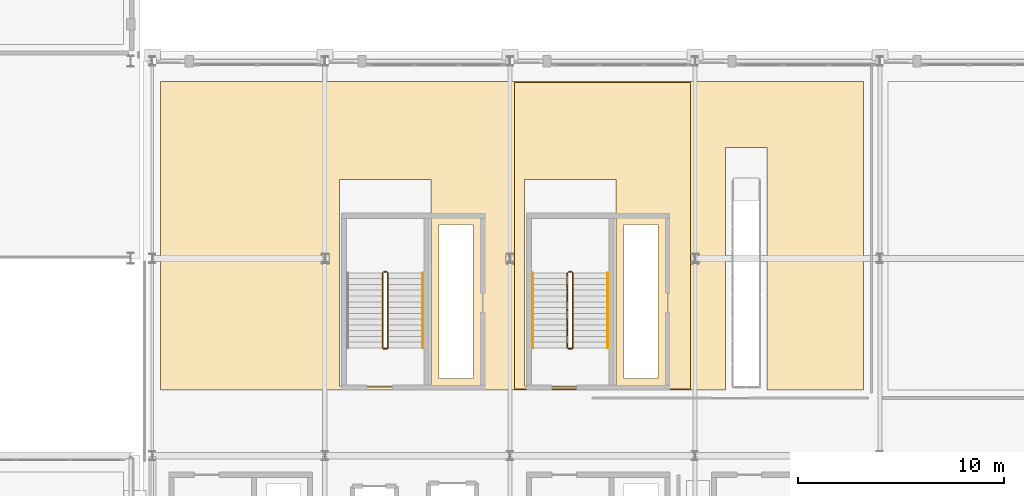
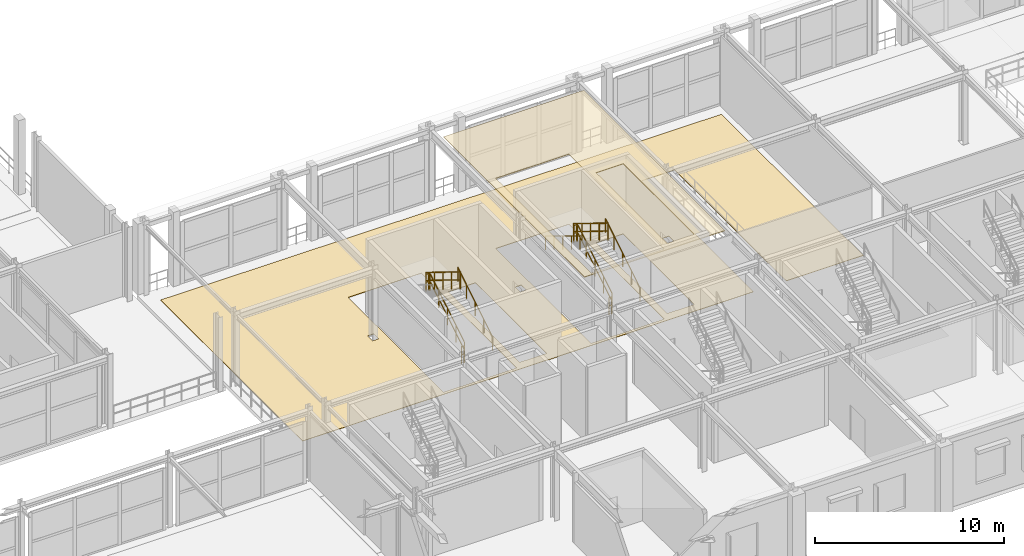
# One storey, part 113 of 125: 11 railings, 2 coverings.
"""IFC4 building model written with IfcOpenShell, lengths in metres."""

from ifc_helpers import new_model, si_unit, direction, frame, origin, origin_2d, place, context, subcontext, project, spatial, polyline, rectangle, outline, extrude, material, layer, layer_set, type_object, element, save


model = new_model("IFC4")

# Units and contexts
model_context = context("Model", 3, precision=1e-05, world=origin(), true_north=direction((0.0, 1.0)))
body_context = subcontext(model_context, "Body", "Model", "MODEL_VIEW")
ifc_project = project(units=[si_unit("LENGTHUNIT", "METRE"), si_unit("AREAUNIT", "SQUARE_METRE"), si_unit("VOLUMEUNIT", "CUBIC_METRE"), si_unit("PLANEANGLEUNIT", "RADIAN"), si_unit("MASSUNIT", "GRAM", prefix="KILO")], contexts=[model_context])

# Site, building, storey
site_placement = place(None, origin())
site = spatial("IfcSite", under=ifc_project, at=site_placement, CompositionType="ELEMENT")
building_placement = place(site_placement, origin())
building = spatial("IfcBuilding", under=site, at=building_placement, Name="Myrtia Square Station", CompositionType="ELEMENT")
storey_placement = place(building_placement, frame((0.0, 0.0, 6.0)))
storey = spatial("IfcBuildingStorey", under=building, at=storey_placement, Name="L01", CompositionType="ELEMENT", Elevation=6.0)

# Coverings
ifc_material_1 = material(Name="Acoustic European oak timber", Category="wood")
ifc_layer_1 = layer(ifc_material_1, 0.044921875, Name="Acoustic European oak timber")
ifc_layer_set_1 = layer_set([ifc_layer_1], Name="Acoustic European oak timber")
covering_type_1 = type_object("IfcCoveringType", Name="COV-CEIL-OAK", PredefinedType="CEILING", material=ifc_layer_set_1)
covering_1_placement = place(storey_placement, frame((0.0, 0.0, 4.5048828125)))
element("IfcCovering", 1, at=covering_1_placement, inside=storey, type_object=covering_type_1, Name="Acoustic coffer ceiling L01-10", PredefinedType="CEILING", context=body_context, shape_type="SweptSolid", body=[
    extrude(outline(polyline([(143.780029296875, 37.35009765625), (143.780029296875, 28.85009765625), (143.781005859375, 28.828369140625), (143.7841796875, 28.80712890625), (143.785888671875, 28.800048828125), (143.7841796875, 28.79296875), (143.781005859375, 28.771484375), (143.780029296875, 28.75), (143.780029296875, 22.449951171875), (135.219970703125, 22.449951171875), (135.219970703125, 28.75), (135.218994140625, 28.771484375), (135.2158203125, 28.79296875), (135.214111328125, 28.800048828125), (135.2158203125, 28.80712890625), (135.218994140625, 28.828369140625), (135.219970703125, 28.85009765625), (135.219970703125, 37.35009765625), (143.780029296875, 37.35009765625)]), holes=[polyline([(140.550048828125, 22.949951171875), (142.199951171875, 22.949951171875), (142.199951171875, 30.449951171875), (140.550048828125, 30.449951171875), (140.550048828125, 22.949951171875)]), polyline([(135.699951171875, 22.580078125), (140.159912109375, 22.580078125), (140.159912109375, 32.64990234375), (135.699951171875, 32.64990234375), (135.699951171875, 22.580078125)])]), origin(), (0.0, 0.0, 1.0), 0.045166015625),
])
ifc_material_2 = material(Name="Terrazzo stone tile", Category="masonry")
ifc_layer_2 = layer(ifc_material_2, 0.02490234375, Name="Terrazzo stone tile")
ifc_layer_set_2 = layer_set([ifc_layer_2], Name="Terrazzo stone tile")
covering_type_2 = type_object("IfcCoveringType", Name="COV-FLR-TERRAZZO", PredefinedType="FLOORING", material=ifc_layer_set_2)
covering_2_placement = place(storey_placement, origin())
element("IfcCovering", 2, at=covering_2_placement, inside=storey, type_object=covering_type_2, Name="Terrazzo room flooring L01-10", PredefinedType="FLOORING", context=body_context, shape_type="SweptSolid", body=[
    extrude(outline(polyline([(118.0, 37.39990234375), (152.199951171875, 37.39990234375), (152.199951171875, 22.39990234375), (147.5, 22.39990234375), (147.5, 34.199951171875), (145.5, 34.199951171875), (145.5, 22.39990234375), (118.0, 22.39990234375), (118.0, 37.39990234375)]), holes=[polyline([(140.550048828125, 30.449951171875), (140.550048828125, 22.949951171875), (142.199951171875, 22.949951171875), (142.199951171875, 30.449951171875), (140.550048828125, 30.449951171875)]), polyline([(133.199951171875, 30.449951171875), (131.550048828125, 30.449951171875), (131.550048828125, 22.949951171875), (133.199951171875, 22.949951171875), (133.199951171875, 30.449951171875)]), polyline([(131.159912109375, 32.64990234375), (126.699951171875, 32.64990234375), (126.699951171875, 22.580078125), (131.159912109375, 22.580078125), (131.159912109375, 32.64990234375)]), polyline([(126.18994140625, 29.06494140625), (125.81005859375, 29.06494140625), (125.81005859375, 28.534912109375), (126.18994140625, 28.534912109375), (126.18994140625, 29.06494140625)]), polyline([(135.699951171875, 32.64990234375), (135.699951171875, 22.580078125), (140.159912109375, 22.580078125), (140.159912109375, 32.64990234375), (135.699951171875, 32.64990234375)]), polyline([(135.18994140625, 29.06494140625), (134.81005859375, 29.06494140625), (134.81005859375, 28.534912109375), (135.18994140625, 28.534912109375), (135.18994140625, 29.06494140625)]), polyline([(144.18994140625, 28.534912109375), (144.18994140625, 29.06494140625), (143.81005859375, 29.06494140625), (143.81005859375, 28.534912109375), (144.18994140625, 28.534912109375)])]), origin(), (0.0, 0.0, 1.0), 0.02490234375),
])

# Railings
ifc_material_3 = material(Name="Dark bronze anodised aluminium", Category="aluminium")
railing_type_1 = type_object("IfcRailingType", Name="RL-HANDRAIL-900", PredefinedType="HANDRAIL", material=ifc_material_3)
railing_1_placement = place(storey_placement, frame((139.760009765625, 24.449951171875, 0.17138671875)))
element("IfcRailing", 3, at=railing_1_placement, inside=storey, type_object=railing_type_1, Name="L01 ST09 stair handrail 1", PredefinedType="HANDRAIL", context=body_context, shape_type="SweptSolid", body=[
    extrude(rectangle(XDim=0.048095703125, YDim=0.048095703125, at=origin_2d()), frame((0.0, 0.029541015625, 0.89404296875), z_axis=(0.0, 0.852865859571, 0.52213008492), x_axis=(-1.0, 0.0, 0.0)), (0.0, 0.0, 1.0), 0.997802734375),
    extrude(rectangle(XDim=0.048095703125, YDim=0.048095703125, at=origin_2d()), frame((0.0, 0.939697265625, 1.451171875), z_axis=(0.0, 0.852865859571, 0.52213008492), x_axis=(-1.0, 0.0, 0.0)), (0.0, 0.0, 1.0), 0.997802734375),
    extrude(rectangle(XDim=0.048095703125, YDim=0.048095703125, at=origin_2d()), frame((0.0, 1.849609375, 2.00830078125), z_axis=(0.0, 0.852865859571, 0.52213008492), x_axis=(-1.0, 0.0, 0.0)), (0.0, 0.0, 1.0), 0.997802734375),
    extrude(rectangle(XDim=0.048095703125, YDim=0.048095703125, at=origin_2d()), frame((0.0, 2.759765625, 2.5654296875), z_axis=(0.0, 0.852865859571, 0.52213008492), x_axis=(-1.0, 0.0, 0.0)), (0.0, 0.0, 1.0), 0.997802734375),
    extrude(rectangle(XDim=0.0439453125, YDim=0.0439453125, at=origin_2d()), origin(), (0.0, 0.0, 1.0), 0.89990234375),
    extrude(rectangle(XDim=0.0439453125, YDim=0.0439453125, at=origin_2d()), frame((0.0, 0.91015625, 0.55712890625)), (0.0, 0.0, 1.0), 0.89990234375),
    extrude(rectangle(XDim=0.0439453125, YDim=0.0439453125, at=origin_2d()), frame((0.0, 1.820068359375, 1.1142578125)), (0.0, 0.0, 1.0), 0.89990234375),
    extrude(rectangle(XDim=0.0439453125, YDim=0.0439453125, at=origin_2d()), frame((0.0, 2.72998046875, 1.67138671875)), (0.0, 0.0, 1.0), 0.89990234375),
    extrude(rectangle(XDim=0.0439453125, YDim=0.0439453125, at=origin_2d()), frame((0.0, 3.64013671875, 2.228515625)), (0.0, 0.0, 1.0), 0.89990234375),
])
railing_2_placement = place(storey_placement, frame((136.10009765625, 28.090087890625, 2.571533203125)))
element("IfcRailing", 4, at=railing_2_placement, inside=storey, type_object=railing_type_1, Name="L01 ST09 stair handrail 2", PredefinedType="HANDRAIL", context=body_context, shape_type="SweptSolid", body=[
    extrude(rectangle(XDim=0.048095703125, YDim=0.048095703125, at=origin_2d()), frame((0.0, -0.029541015625, 0.89404296875), z_axis=(0.0, -0.852865859571, 0.52213008492), x_axis=(1.0, 0.0, 0.0)), (0.0, 0.0, 1.0), 0.997802734375),
    extrude(rectangle(XDim=0.048095703125, YDim=0.048095703125, at=origin_2d()), frame((0.0, -0.939697265625, 1.451171875), z_axis=(0.0, -0.852865859571, 0.52213008492), x_axis=(1.0, 0.0, 0.0)), (0.0, 0.0, 1.0), 0.997802734375),
    extrude(rectangle(XDim=0.048095703125, YDim=0.048095703125, at=origin_2d()), frame((0.0, -1.849609375, 2.00830078125), z_axis=(0.0, -0.852865859571, 0.52213008492), x_axis=(1.0, 0.0, 0.0)), (0.0, 0.0, 1.0), 0.997802734375),
    extrude(rectangle(XDim=0.048095703125, YDim=0.048095703125, at=origin_2d()), frame((0.0, -2.759765625, 2.5654296875), z_axis=(0.0, -0.852865859571, 0.52213008492), x_axis=(1.0, 0.0, 0.0)), (0.0, 0.0, 1.0), 0.997802734375),
    extrude(rectangle(XDim=0.0439453125, YDim=0.0439453125, at=origin_2d()), origin(), (0.0, 0.0, 1.0), 0.89990234375),
    extrude(rectangle(XDim=0.0439453125, YDim=0.0439453125, at=origin_2d()), frame((0.0, -0.91015625, 0.55712890625)), (0.0, 0.0, 1.0), 0.89990234375),
    extrude(rectangle(XDim=0.0439453125, YDim=0.0439453125, at=origin_2d()), frame((0.0, -1.820068359375, 1.1142578125)), (0.0, 0.0, 1.0), 0.89990234375),
    extrude(rectangle(XDim=0.0439453125, YDim=0.0439453125, at=origin_2d()), frame((0.0, -2.72998046875, 1.67138671875)), (0.0, 0.0, 1.0), 0.89990234375),
    extrude(rectangle(XDim=0.0439453125, YDim=0.0439453125, at=origin_2d()), frame((0.0, -3.64013671875, 2.228515625)), (0.0, 0.0, 1.0), 0.89990234375),
])
railing_3_placement = place(storey_placement, frame((130.760009765625, 24.449951171875, 0.17138671875)))
element("IfcRailing", 5, at=railing_3_placement, inside=storey, type_object=railing_type_1, Name="L01 ST10 stair handrail 1", PredefinedType="HANDRAIL", context=body_context, shape_type="SweptSolid", body=[
    extrude(rectangle(XDim=0.048095703125, YDim=0.048095703125, at=origin_2d()), frame((0.0, 0.029541015625, 0.89404296875), z_axis=(0.0, 0.852865859571, 0.52213008492), x_axis=(-1.0, 0.0, 0.0)), (0.0, 0.0, 1.0), 0.997802734375),
    extrude(rectangle(XDim=0.048095703125, YDim=0.048095703125, at=origin_2d()), frame((0.0, 0.939697265625, 1.451171875), z_axis=(0.0, 0.852865859571, 0.52213008492), x_axis=(-1.0, 0.0, 0.0)), (0.0, 0.0, 1.0), 0.997802734375),
    extrude(rectangle(XDim=0.048095703125, YDim=0.048095703125, at=origin_2d()), frame((0.0, 1.849609375, 2.00830078125), z_axis=(0.0, 0.852865859571, 0.52213008492), x_axis=(-1.0, 0.0, 0.0)), (0.0, 0.0, 1.0), 0.997802734375),
    extrude(rectangle(XDim=0.048095703125, YDim=0.048095703125, at=origin_2d()), frame((0.0, 2.759765625, 2.5654296875), z_axis=(0.0, 0.852865859571, 0.52213008492), x_axis=(-1.0, 0.0, 0.0)), (0.0, 0.0, 1.0), 0.997802734375),
    extrude(rectangle(XDim=0.0439453125, YDim=0.0439453125, at=origin_2d()), origin(), (0.0, 0.0, 1.0), 0.89990234375),
    extrude(rectangle(XDim=0.0439453125, YDim=0.0439453125, at=origin_2d()), frame((0.0, 0.91015625, 0.55712890625)), (0.0, 0.0, 1.0), 0.89990234375),
    extrude(rectangle(XDim=0.0439453125, YDim=0.0439453125, at=origin_2d()), frame((0.0, 1.820068359375, 1.1142578125)), (0.0, 0.0, 1.0), 0.89990234375),
    extrude(rectangle(XDim=0.0439453125, YDim=0.0439453125, at=origin_2d()), frame((0.0, 2.72998046875, 1.67138671875)), (0.0, 0.0, 1.0), 0.89990234375),
    extrude(rectangle(XDim=0.0439453125, YDim=0.0439453125, at=origin_2d()), frame((0.0, 3.64013671875, 2.228515625)), (0.0, 0.0, 1.0), 0.89990234375),
])
ifc_material_4 = material(Name="Wrought iron", Category="steel")
railing_type_2 = type_object("IfcRailingType", Name="RL-INT-GUARD-1100", PredefinedType="BALUSTRADE", material=ifc_material_4)
railing_4_placement = place(storey_placement, frame((138.06005859375, 24.449951171875, 0.17138671875)))
element("IfcRailing", 6, at=railing_4_placement, inside=storey, type_object=railing_type_2, Name="L01 ST09 stair guard 1", PredefinedType="BALUSTRADE", context=body_context, shape_type="SweptSolid", body=[
    extrude(rectangle(XDim=0.048095703125, YDim=0.048095703125, at=origin_2d()), frame((0.0, 0.029541015625, 1.1142578125), z_axis=(0.0, 0.852865859571, 0.52213008492), x_axis=(-1.0, 0.0, 0.0)), (0.0, 0.0, 1.0), 0.997802734375),
    extrude(rectangle(XDim=0.048095703125, YDim=0.048095703125, at=origin_2d()), frame((0.0, 0.029541015625, 0.6005859375), z_axis=(0.0, 0.852865859571, 0.52213008492), x_axis=(-1.0, 0.0, 0.0)), (0.0, 0.0, 1.0), 0.997802734375),
    extrude(rectangle(XDim=0.048095703125, YDim=0.048095703125, at=origin_2d()), frame((0.0, 0.939697265625, 1.67138671875), z_axis=(0.0, 0.852865859571, 0.52213008492), x_axis=(-1.0, 0.0, 0.0)), (0.0, 0.0, 1.0), 0.997802734375),
    extrude(rectangle(XDim=0.048095703125, YDim=0.048095703125, at=origin_2d()), frame((0.0, 0.939697265625, 1.15771484375), z_axis=(0.0, 0.852865859571, 0.52213008492), x_axis=(-1.0, 0.0, 0.0)), (0.0, 0.0, 1.0), 0.997802734375),
    extrude(rectangle(XDim=0.048095703125, YDim=0.048095703125, at=origin_2d()), frame((0.0, 1.849609375, 2.228515625), z_axis=(0.0, 0.852865859571, 0.52213008492), x_axis=(-1.0, 0.0, 0.0)), (0.0, 0.0, 1.0), 0.997802734375),
    extrude(rectangle(XDim=0.048095703125, YDim=0.048095703125, at=origin_2d()), frame((0.0, 1.849609375, 1.71484375), z_axis=(0.0, 0.852865859571, 0.52213008492), x_axis=(-1.0, 0.0, 0.0)), (0.0, 0.0, 1.0), 0.997802734375),
    extrude(rectangle(XDim=0.048095703125, YDim=0.048095703125, at=origin_2d()), frame((0.0, 2.759765625, 2.78564453125), z_axis=(0.0, 0.852865859571, 0.52213008492), x_axis=(-1.0, 0.0, 0.0)), (0.0, 0.0, 1.0), 0.997802734375),
    extrude(rectangle(XDim=0.048095703125, YDim=0.048095703125, at=origin_2d()), frame((0.0, 2.759765625, 2.27197265625), z_axis=(0.0, 0.852865859571, 0.52213008492), x_axis=(-1.0, 0.0, 0.0)), (0.0, 0.0, 1.0), 0.997802734375),
    extrude(rectangle(XDim=0.0439453125, YDim=0.0439453125, at=origin_2d()), origin(), (0.0, 0.0, 1.0), 1.1201171875),
    extrude(rectangle(XDim=0.0439453125, YDim=0.0439453125, at=origin_2d()), frame((0.0, 0.91015625, 0.55712890625)), (0.0, 0.0, 1.0), 1.1201171875),
    extrude(rectangle(XDim=0.0439453125, YDim=0.0439453125, at=origin_2d()), frame((0.0, 1.820068359375, 1.1142578125)), (0.0, 0.0, 1.0), 1.1201171875),
    extrude(rectangle(XDim=0.0439453125, YDim=0.0439453125, at=origin_2d()), frame((0.0, 2.72998046875, 1.67138671875)), (0.0, 0.0, 1.0), 1.1201171875),
    extrude(rectangle(XDim=0.0439453125, YDim=0.0439453125, at=origin_2d()), frame((0.0, 3.64013671875, 2.228515625)), (0.0, 0.0, 1.0), 1.1201171875),
])
railing_5_placement = place(storey_placement, frame((138.010009765625, 28.139892578125, 2.39990234375)))
element("IfcRailing", 7, at=railing_5_placement, inside=storey, type_object=railing_type_2, Name="L01 ST09 stair guard 2", PredefinedType="BALUSTRADE", context=body_context, shape_type="SweptSolid", body=[
    extrude(rectangle(XDim=0.048095703125, YDim=0.048095703125, at=origin_2d()), frame((-0.03466796875, 0.0, 1.09619140625), z_axis=(-1.0, 0.0, 0.0), x_axis=(0.0, -1.0, 0.0)), (0.0, 0.0, 1.0), 0.090576171875),
    extrude(rectangle(XDim=0.048095703125, YDim=0.048095703125, at=origin_2d()), frame((-0.03466796875, 0.0, 0.58251953125), z_axis=(-1.0, 0.0, 0.0), x_axis=(0.0, -1.0, 0.0)), (0.0, 0.0, 1.0), 0.090576171875),
    extrude(rectangle(XDim=0.0439453125, YDim=0.0439453125, at=origin_2d()), origin(), (0.0, 0.0, 1.0), 1.1201171875),
    extrude(rectangle(XDim=0.0439453125, YDim=0.0439453125, at=origin_2d()), frame((-0.159912109375, 0.0, 0.0)), (0.0, 0.0, 1.0), 1.1201171875),
])
railing_6_placement = place(storey_placement, frame((137.800048828125, 28.090087890625, 2.571533203125)))
element("IfcRailing", 8, at=railing_6_placement, inside=storey, type_object=railing_type_2, Name="L01 ST09 stair guard 3", PredefinedType="BALUSTRADE", context=body_context, shape_type="SweptSolid", body=[
    extrude(rectangle(XDim=0.048095703125, YDim=0.048095703125, at=origin_2d()), frame((0.0, -0.029541015625, 1.1142578125), z_axis=(0.0, -0.852865859571, 0.52213008492), x_axis=(1.0, 0.0, 0.0)), (0.0, 0.0, 1.0), 0.997802734375),
    extrude(rectangle(XDim=0.048095703125, YDim=0.048095703125, at=origin_2d()), frame((0.0, -0.029541015625, 0.6005859375), z_axis=(0.0, -0.852865859571, 0.52213008492), x_axis=(1.0, 0.0, 0.0)), (0.0, 0.0, 1.0), 0.997802734375),
    extrude(rectangle(XDim=0.048095703125, YDim=0.048095703125, at=origin_2d()), frame((0.0, -0.939697265625, 1.67138671875), z_axis=(0.0, -0.852865859571, 0.52213008492), x_axis=(1.0, 0.0, 0.0)), (0.0, 0.0, 1.0), 0.997802734375),
    extrude(rectangle(XDim=0.048095703125, YDim=0.048095703125, at=origin_2d()), frame((0.0, -0.939697265625, 1.15771484375), z_axis=(0.0, -0.852865859571, 0.52213008492), x_axis=(1.0, 0.0, 0.0)), (0.0, 0.0, 1.0), 0.997802734375),
    extrude(rectangle(XDim=0.048095703125, YDim=0.048095703125, at=origin_2d()), frame((0.0, -1.849609375, 2.228515625), z_axis=(0.0, -0.852865859571, 0.52213008492), x_axis=(1.0, 0.0, 0.0)), (0.0, 0.0, 1.0), 0.997802734375),
    extrude(rectangle(XDim=0.048095703125, YDim=0.048095703125, at=origin_2d()), frame((0.0, -1.849609375, 1.71484375), z_axis=(0.0, -0.852865859571, 0.52213008492), x_axis=(1.0, 0.0, 0.0)), (0.0, 0.0, 1.0), 0.997802734375),
    extrude(rectangle(XDim=0.048095703125, YDim=0.048095703125, at=origin_2d()), frame((0.0, -2.759765625, 2.78564453125), z_axis=(0.0, -0.852865859571, 0.52213008492), x_axis=(1.0, 0.0, 0.0)), (0.0, 0.0, 1.0), 0.997802734375),
    extrude(rectangle(XDim=0.048095703125, YDim=0.048095703125, at=origin_2d()), frame((0.0, -2.759765625, 2.27197265625), z_axis=(0.0, -0.852865859571, 0.52213008492), x_axis=(1.0, 0.0, 0.0)), (0.0, 0.0, 1.0), 0.997802734375),
    extrude(rectangle(XDim=0.0439453125, YDim=0.0439453125, at=origin_2d()), origin(), (0.0, 0.0, 1.0), 1.1201171875),
    extrude(rectangle(XDim=0.0439453125, YDim=0.0439453125, at=origin_2d()), frame((0.0, -0.91015625, 0.55712890625)), (0.0, 0.0, 1.0), 1.1201171875),
    extrude(rectangle(XDim=0.0439453125, YDim=0.0439453125, at=origin_2d()), frame((0.0, -1.820068359375, 1.1142578125)), (0.0, 0.0, 1.0), 1.1201171875),
    extrude(rectangle(XDim=0.0439453125, YDim=0.0439453125, at=origin_2d()), frame((0.0, -2.72998046875, 1.67138671875)), (0.0, 0.0, 1.0), 1.1201171875),
    extrude(rectangle(XDim=0.0439453125, YDim=0.0439453125, at=origin_2d()), frame((0.0, -3.64013671875, 2.228515625)), (0.0, 0.0, 1.0), 1.1201171875),
])
railing_7_placement = place(storey_placement, frame((138.010009765625, 24.39990234375, 0.0)))
element("IfcRailing", 9, at=railing_7_placement, inside=storey, type_object=railing_type_2, Name="L01 ST09 stair guard 4", PredefinedType="BALUSTRADE", context=body_context, shape_type="SweptSolid", body=[
    extrude(rectangle(XDim=0.048095703125, YDim=0.048095703125, at=origin_2d()), frame((-0.03466796875, 0.0, 1.09619140625), z_axis=(-1.0, 0.0, 0.0), x_axis=(0.0, -1.0, 0.0)), (0.0, 0.0, 1.0), 0.090576171875),
    extrude(rectangle(XDim=0.048095703125, YDim=0.048095703125, at=origin_2d()), frame((-0.03466796875, 0.0, 0.58251953125), z_axis=(-1.0, 0.0, 0.0), x_axis=(0.0, -1.0, 0.0)), (0.0, 0.0, 1.0), 0.090576171875),
    extrude(rectangle(XDim=0.0439453125, YDim=0.0439453125, at=origin_2d()), origin(), (0.0, 0.0, 1.0), 1.1201171875),
    extrude(rectangle(XDim=0.0439453125, YDim=0.0439453125, at=origin_2d()), frame((-0.159912109375, 0.0, 0.0)), (0.0, 0.0, 1.0), 1.1201171875),
])
railing_8_placement = place(storey_placement, frame((129.06005859375, 24.449951171875, 0.17138671875)))
element("IfcRailing", 10, at=railing_8_placement, inside=storey, type_object=railing_type_2, Name="L01 ST10 stair guard 1", PredefinedType="BALUSTRADE", context=body_context, shape_type="SweptSolid", body=[
    extrude(rectangle(XDim=0.048095703125, YDim=0.048095703125, at=origin_2d()), frame((0.0, 0.029541015625, 1.1142578125), z_axis=(0.0, 0.852865859571, 0.52213008492), x_axis=(-1.0, 0.0, 0.0)), (0.0, 0.0, 1.0), 0.997802734375),
    extrude(rectangle(XDim=0.048095703125, YDim=0.048095703125, at=origin_2d()), frame((0.0, 0.029541015625, 0.6005859375), z_axis=(0.0, 0.852865859571, 0.52213008492), x_axis=(-1.0, 0.0, 0.0)), (0.0, 0.0, 1.0), 0.997802734375),
    extrude(rectangle(XDim=0.048095703125, YDim=0.048095703125, at=origin_2d()), frame((0.0, 0.939697265625, 1.67138671875), z_axis=(0.0, 0.852865859571, 0.52213008492), x_axis=(-1.0, 0.0, 0.0)), (0.0, 0.0, 1.0), 0.997802734375),
    extrude(rectangle(XDim=0.048095703125, YDim=0.048095703125, at=origin_2d()), frame((0.0, 0.939697265625, 1.15771484375), z_axis=(0.0, 0.852865859571, 0.52213008492), x_axis=(-1.0, 0.0, 0.0)), (0.0, 0.0, 1.0), 0.997802734375),
    extrude(rectangle(XDim=0.048095703125, YDim=0.048095703125, at=origin_2d()), frame((0.0, 1.849609375, 2.228515625), z_axis=(0.0, 0.852865859571, 0.52213008492), x_axis=(-1.0, 0.0, 0.0)), (0.0, 0.0, 1.0), 0.997802734375),
    extrude(rectangle(XDim=0.048095703125, YDim=0.048095703125, at=origin_2d()), frame((0.0, 1.849609375, 1.71484375), z_axis=(0.0, 0.852865859571, 0.52213008492), x_axis=(-1.0, 0.0, 0.0)), (0.0, 0.0, 1.0), 0.997802734375),
    extrude(rectangle(XDim=0.048095703125, YDim=0.048095703125, at=origin_2d()), frame((0.0, 2.759765625, 2.78564453125), z_axis=(0.0, 0.852865859571, 0.52213008492), x_axis=(-1.0, 0.0, 0.0)), (0.0, 0.0, 1.0), 0.997802734375),
    extrude(rectangle(XDim=0.048095703125, YDim=0.048095703125, at=origin_2d()), frame((0.0, 2.759765625, 2.27197265625), z_axis=(0.0, 0.852865859571, 0.52213008492), x_axis=(-1.0, 0.0, 0.0)), (0.0, 0.0, 1.0), 0.997802734375),
    extrude(rectangle(XDim=0.0439453125, YDim=0.0439453125, at=origin_2d()), origin(), (0.0, 0.0, 1.0), 1.1201171875),
    extrude(rectangle(XDim=0.0439453125, YDim=0.0439453125, at=origin_2d()), frame((0.0, 0.91015625, 0.55712890625)), (0.0, 0.0, 1.0), 1.1201171875),
    extrude(rectangle(XDim=0.0439453125, YDim=0.0439453125, at=origin_2d()), frame((0.0, 1.820068359375, 1.1142578125)), (0.0, 0.0, 1.0), 1.1201171875),
    extrude(rectangle(XDim=0.0439453125, YDim=0.0439453125, at=origin_2d()), frame((0.0, 2.72998046875, 1.67138671875)), (0.0, 0.0, 1.0), 1.1201171875),
    extrude(rectangle(XDim=0.0439453125, YDim=0.0439453125, at=origin_2d()), frame((0.0, 3.64013671875, 2.228515625)), (0.0, 0.0, 1.0), 1.1201171875),
])
railing_9_placement = place(storey_placement, frame((129.010009765625, 28.139892578125, 2.39990234375)))
element("IfcRailing", 11, at=railing_9_placement, inside=storey, type_object=railing_type_2, Name="L01 ST10 stair guard 2", PredefinedType="BALUSTRADE", context=body_context, shape_type="SweptSolid", body=[
    extrude(rectangle(XDim=0.048095703125, YDim=0.048095703125, at=origin_2d()), frame((-0.03466796875, 0.0, 1.09619140625), z_axis=(-1.0, 0.0, 0.0), x_axis=(0.0, -1.0, 0.0)), (0.0, 0.0, 1.0), 0.090576171875),
    extrude(rectangle(XDim=0.048095703125, YDim=0.048095703125, at=origin_2d()), frame((-0.03466796875, 0.0, 0.58251953125), z_axis=(-1.0, 0.0, 0.0), x_axis=(0.0, -1.0, 0.0)), (0.0, 0.0, 1.0), 0.090576171875),
    extrude(rectangle(XDim=0.0439453125, YDim=0.0439453125, at=origin_2d()), origin(), (0.0, 0.0, 1.0), 1.1201171875),
    extrude(rectangle(XDim=0.0439453125, YDim=0.0439453125, at=origin_2d()), frame((-0.159912109375, 0.0, 0.0)), (0.0, 0.0, 1.0), 1.1201171875),
])
railing_10_placement = place(storey_placement, frame((128.800048828125, 28.090087890625, 2.571533203125)))
element("IfcRailing", 12, at=railing_10_placement, inside=storey, type_object=railing_type_2, Name="L01 ST10 stair guard 3", PredefinedType="BALUSTRADE", context=body_context, shape_type="SweptSolid", body=[
    extrude(rectangle(XDim=0.048095703125, YDim=0.048095703125, at=origin_2d()), frame((0.0, -0.029541015625, 1.1142578125), z_axis=(0.0, -0.852865859571, 0.52213008492), x_axis=(1.0, 0.0, 0.0)), (0.0, 0.0, 1.0), 0.997802734375),
    extrude(rectangle(XDim=0.048095703125, YDim=0.048095703125, at=origin_2d()), frame((0.0, -0.029541015625, 0.6005859375), z_axis=(0.0, -0.852865859571, 0.52213008492), x_axis=(1.0, 0.0, 0.0)), (0.0, 0.0, 1.0), 0.997802734375),
    extrude(rectangle(XDim=0.048095703125, YDim=0.048095703125, at=origin_2d()), frame((0.0, -0.939697265625, 1.67138671875), z_axis=(0.0, -0.852865859571, 0.52213008492), x_axis=(1.0, 0.0, 0.0)), (0.0, 0.0, 1.0), 0.997802734375),
    extrude(rectangle(XDim=0.048095703125, YDim=0.048095703125, at=origin_2d()), frame((0.0, -0.939697265625, 1.15771484375), z_axis=(0.0, -0.852865859571, 0.52213008492), x_axis=(1.0, 0.0, 0.0)), (0.0, 0.0, 1.0), 0.997802734375),
    extrude(rectangle(XDim=0.048095703125, YDim=0.048095703125, at=origin_2d()), frame((0.0, -1.849609375, 2.228515625), z_axis=(0.0, -0.852865859571, 0.52213008492), x_axis=(1.0, 0.0, 0.0)), (0.0, 0.0, 1.0), 0.997802734375),
    extrude(rectangle(XDim=0.048095703125, YDim=0.048095703125, at=origin_2d()), frame((0.0, -1.849609375, 1.71484375), z_axis=(0.0, -0.852865859571, 0.52213008492), x_axis=(1.0, 0.0, 0.0)), (0.0, 0.0, 1.0), 0.997802734375),
    extrude(rectangle(XDim=0.048095703125, YDim=0.048095703125, at=origin_2d()), frame((0.0, -2.759765625, 2.78564453125), z_axis=(0.0, -0.852865859571, 0.52213008492), x_axis=(1.0, 0.0, 0.0)), (0.0, 0.0, 1.0), 0.997802734375),
    extrude(rectangle(XDim=0.048095703125, YDim=0.048095703125, at=origin_2d()), frame((0.0, -2.759765625, 2.27197265625), z_axis=(0.0, -0.852865859571, 0.52213008492), x_axis=(1.0, 0.0, 0.0)), (0.0, 0.0, 1.0), 0.997802734375),
    extrude(rectangle(XDim=0.0439453125, YDim=0.0439453125, at=origin_2d()), origin(), (0.0, 0.0, 1.0), 1.1201171875),
    extrude(rectangle(XDim=0.0439453125, YDim=0.0439453125, at=origin_2d()), frame((0.0, -0.91015625, 0.55712890625)), (0.0, 0.0, 1.0), 1.1201171875),
    extrude(rectangle(XDim=0.0439453125, YDim=0.0439453125, at=origin_2d()), frame((0.0, -1.820068359375, 1.1142578125)), (0.0, 0.0, 1.0), 1.1201171875),
    extrude(rectangle(XDim=0.0439453125, YDim=0.0439453125, at=origin_2d()), frame((0.0, -2.72998046875, 1.67138671875)), (0.0, 0.0, 1.0), 1.1201171875),
    extrude(rectangle(XDim=0.0439453125, YDim=0.0439453125, at=origin_2d()), frame((0.0, -3.64013671875, 2.228515625)), (0.0, 0.0, 1.0), 1.1201171875),
])
railing_11_placement = place(storey_placement, frame((129.010009765625, 24.39990234375, 0.0)))
element("IfcRailing", 13, at=railing_11_placement, inside=storey, type_object=railing_type_2, Name="L01 ST10 stair guard 4", PredefinedType="BALUSTRADE", context=body_context, shape_type="SweptSolid", body=[
    extrude(rectangle(XDim=0.048095703125, YDim=0.048095703125, at=origin_2d()), frame((-0.03466796875, 0.0, 1.09619140625), z_axis=(-1.0, 0.0, 0.0), x_axis=(0.0, -1.0, 0.0)), (0.0, 0.0, 1.0), 0.090576171875),
    extrude(rectangle(XDim=0.048095703125, YDim=0.048095703125, at=origin_2d()), frame((-0.03466796875, 0.0, 0.58251953125), z_axis=(-1.0, 0.0, 0.0), x_axis=(0.0, -1.0, 0.0)), (0.0, 0.0, 1.0), 0.090576171875),
    extrude(rectangle(XDim=0.0439453125, YDim=0.0439453125, at=origin_2d()), origin(), (0.0, 0.0, 1.0), 1.1201171875),
    extrude(rectangle(XDim=0.0439453125, YDim=0.0439453125, at=origin_2d()), frame((-0.159912109375, 0.0, 0.0)), (0.0, 0.0, 1.0), 1.1201171875),
])

save(model, "model.ifc")
